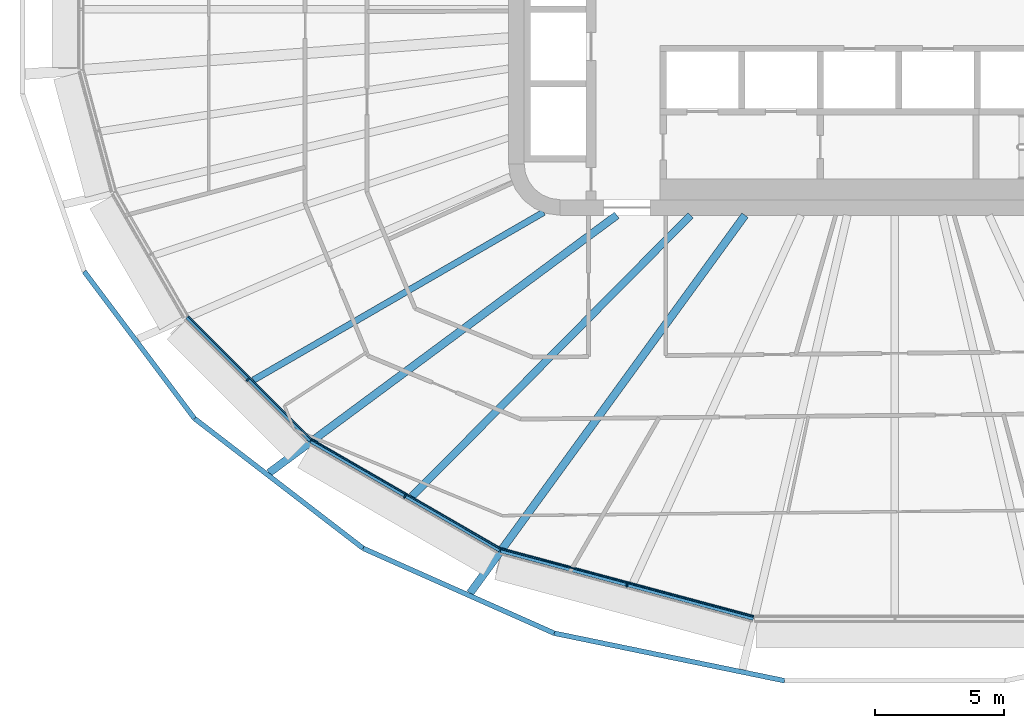
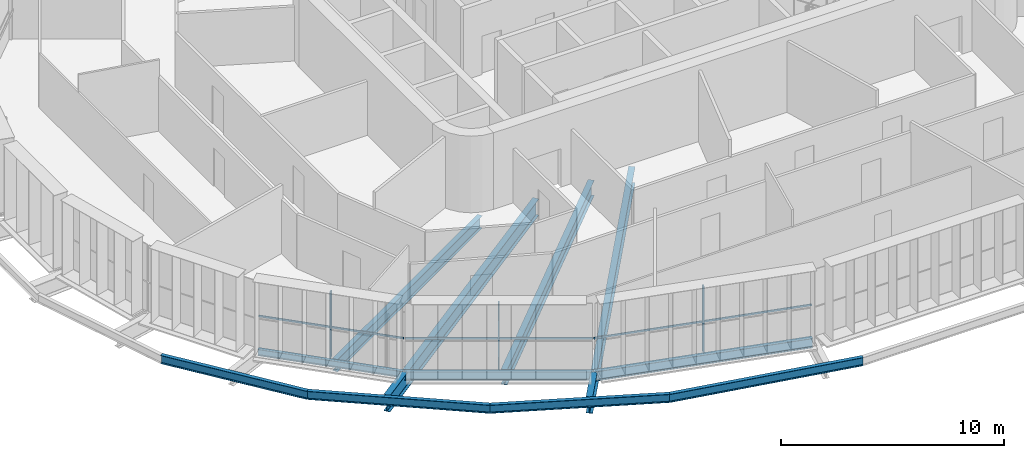
# One storey, part 1 of 26: 11 beams, 6 members, 3 elements without a shape of their own.
"""IFC4 building model written with IfcOpenShell, lengths in metres."""

from ifc_helpers import new_model, si_unit, direction, frame, origin, origin_2d, place, context, subcontext, project, spatial, rectangle, i_section, extrude, material, layer, layer_set, material_profile, profile_set, type_object, element, aggregate, save


model = new_model("IFC4")

# Units and contexts
model_context = context("Model", 3, precision=1e-05, world=origin(), true_north=direction((0.0, 1.0)))
body_context = subcontext(model_context, "Body", "Model", "MODEL_VIEW")
ifc_project = project(units=[si_unit("LENGTHUNIT", "METRE"), si_unit("AREAUNIT", "SQUARE_METRE"), si_unit("VOLUMEUNIT", "CUBIC_METRE"), si_unit("PLANEANGLEUNIT", "RADIAN"), si_unit("MASSUNIT", "GRAM", prefix="KILO")], contexts=[model_context])

# Site, building, storey
site_placement = place(None, origin())
site = spatial("IfcSite", under=ifc_project, at=site_placement, CompositionType="ELEMENT")
building_placement = place(site_placement, origin())
building = spatial("IfcBuilding", under=site, at=building_placement, Name="Sahrelin Media Tower", CompositionType="ELEMENT")
storey_placement = place(building_placement, frame((0.0, 0.0, 88.199951171875)))
storey = spatial("IfcBuildingStorey", under=building, at=storey_placement, Name="L16", CompositionType="ELEMENT", Elevation=88.199951171875)

# Beams
ifc_material_1 = material(Name="Steel S355", Category="steel")
ifc_material_profile_1 = material_profile(ifc_material_1, i_section(OverallWidth=0.17138671875, OverallDepth=0.35498046875, WebThickness=0.00732421875, FlangeThickness=0.011474609375, FilletRadius=0.01025390625, at=origin_2d()), Name="UB 356x171x51")
ifc_profile_set_1 = profile_set([ifc_material_profile_1], Name="Steel S355")
beam_type_1 = type_object("IfcBeamType", Name="Edge beam EB3", PredefinedType="BEAM", material=ifc_profile_set_1)
beam_1_placement = place(storey_placement, frame((-22.689697265625, -16.739013671875, -0.327392578125), z_axis=(-0.707106781187, 0.707106781187, 0.0), x_axis=(-0.707106781187, -0.707106781187, 0.0)))
element("IfcBeam", 1, at=beam_1_placement, inside=storey, type_object=beam_type_1, Name="Edge beam L16-10", PredefinedType="BEAM", context=body_context, shape_type="SweptSolid", body=[
    extrude(i_section(OverallWidth=0.17138671875, OverallDepth=0.35498046875, WebThickness=0.00732421875, FlangeThickness=0.011474609375, FilletRadius=0.01025390625, at=origin_2d()), origin(), (0.0, 0.0, 1.0), 6.7783203125),
])
ifc_material_profile_2 = material_profile(ifc_material_1, i_section(OverallWidth=0.1904296875, OverallDepth=0.45703125, WebThickness=0.009033203125, FlangeThickness=0.014404296875, FilletRadius=0.01025390625, at=origin_2d()), Name="UB 457x191x74")
ifc_profile_set_2 = profile_set([ifc_material_profile_2], Name="Steel S355")
beam_type_2 = type_object("IfcBeamType", Name="Edge beam EB5", PredefinedType="BEAM", material=ifc_profile_set_2)
beam_2_placement = place(storey_placement, frame((-15.3330078125, -20.99072265625, -0.37841796875), z_axis=(-0.866025712585, 0.499999465141, 0.0), x_axis=(-0.499999465141, -0.866025712585, 0.0)))
element("IfcBeam", 2, at=beam_2_placement, inside=storey, type_object=beam_type_2, Name="Edge beam L16-09", PredefinedType="BEAM", context=body_context, shape_type="SweptSolid", body=[
    extrude(i_section(OverallWidth=0.1904296875, OverallDepth=0.45703125, WebThickness=0.009033203125, FlangeThickness=0.014404296875, FilletRadius=0.01025390625, at=origin_2d()), origin(), (0.0, 0.0, 1.0), 8.46826171875),
])
ifc_material_profile_3 = material_profile(ifc_material_1, i_section(OverallWidth=0.208740234375, OverallDepth=0.5283203125, WebThickness=0.009521484375, FlangeThickness=0.01318359375, FilletRadius=0.0126953125, at=origin_2d()), Name="UB 533x210x82")
ifc_profile_set_3 = profile_set([ifc_material_profile_3], Name="Steel S355")
beam_type_3 = type_object("IfcBeamType", Name="Edge beam EB6", PredefinedType="BEAM", material=ifc_profile_set_3)
beam_3_placement = place(storey_placement, frame((-5.48828125, -23.632568359375, -0.4140625), z_axis=(-0.965923284876, 0.258828529599, 0.0), x_axis=(-0.258828529599, -0.965923284876, 0.0)))
element("IfcBeam", 3, at=beam_3_placement, inside=storey, type_object=beam_type_3, Name="Edge beam L16-08", PredefinedType="BEAM", context=body_context, shape_type="SweptSolid", body=[
    extrude(i_section(OverallWidth=0.208740234375, OverallDepth=0.5283203125, WebThickness=0.009521484375, FlangeThickness=0.01318359375, FilletRadius=0.0126953125, at=origin_2d()), origin(), (0.0, 0.0, 1.0), 10.16455078125),
])

# Curtain wall, member
ifc_material_2 = material(Name="Champagne anodised aluminium 6063-T6", Category="aluminium")
ifc_layer = layer(ifc_material_2, 0.14990234375)
ifc_layer_set = layer_set([ifc_layer], Name="Tower ribbon curtain wall")
curtain_wall_type = type_object("IfcCurtainWallType", Name="Tower ribbon curtain wall", PredefinedType="NOTDEFINED", material=ifc_layer_set)
curtain_wall_1_placement = place(storey_placement, frame((-25.192138671875, -14.448486328125, 0.0), z_axis=(0.0, 0.0, 1.0), x_axis=(1.0, 0.0, 0.0)))
curtain_wall_1 = element("IfcCurtainWall", 4, at=curtain_wall_1_placement, inside=storey, type_object=curtain_wall_type, Name="L16:CW:L16-15", PredefinedType="NOTDEFINED")
ifc_material_profile_4 = material_profile(ifc_material_2, rectangle(XDim=0.06005859375, YDim=0.14990234375, at=origin_2d()), Name="Mullion 60x150")
ifc_profile_set_4 = profile_set([ifc_material_profile_4], Name="Champagne anodised aluminium 6063-T6")
member_type_1 = type_object("IfcMemberType", Name="Mullion 60x150 CW1", PredefinedType="MULLION", material=ifc_profile_set_4)
member_1_placement = place(storey_placement, frame((-25.125, -14.381591796875, 0.0), z_axis=(0.0, 0.0, 1.0), x_axis=(0.707114185953, -0.707099376343, 0.0)))
member_1 = element("IfcMember", 5, at=member_1_placement, type_object=member_type_1, Name="L16:CWM:L16-15", PredefinedType="MULLION", context=body_context, shape_type="SweptSolid", body=[
    extrude(rectangle(XDim=0.06005859375, YDim=0.14990234375, at=origin_2d()), origin(), (0.0, 0.0, 1.0), 3.648681640625),
])

curtain_wall_2_placement = place(storey_placement, frame((-19.074951171875, -19.003662109375, 0.0), z_axis=(0.0, 0.0, 1.0), x_axis=(1.0, 0.0, 0.0)))
curtain_wall_2 = element("IfcCurtainWall", 6, at=curtain_wall_2_placement, inside=storey, type_object=curtain_wall_type, Name="L16:CW:L16-16", PredefinedType="NOTDEFINED")
member_2_placement = place(storey_placement, frame((-19.02734375, -18.92138671875, 0.0), z_axis=(0.0, 0.0, 1.0), x_axis=(0.866022785779, -0.500004534492, 0.0)))
member_2 = element("IfcMember", 7, at=member_2_placement, type_object=member_type_1, Name="L16:CWM:L16-16", PredefinedType="MULLION", context=body_context, shape_type="SweptSolid", body=[
    extrude(rectangle(XDim=0.06005859375, YDim=0.14990234375, at=origin_2d()), origin(), (0.0, 0.0, 1.0), 3.648681640625),
])

curtain_wall_3_placement = place(storey_placement, frame((-10.436279296875, -22.4619140625, 0.0), z_axis=(0.0, 0.0, 1.0), x_axis=(1.0, 0.0, 0.0)))
curtain_wall_3 = element("IfcCurtainWall", 8, at=curtain_wall_3_placement, inside=storey, type_object=curtain_wall_type, Name="L16:CW:L16-17", PredefinedType="NOTDEFINED")
member_3_placement = place(storey_placement, frame((-10.41162109375, -22.370361328125, 0.0), z_axis=(0.0, 0.0, 1.0), x_axis=(0.965926278012, -0.258817359244, 0.0)))
member_3 = element("IfcMember", 9, at=member_3_placement, type_object=member_type_1, Name="L16:CWM:L16-17", PredefinedType="MULLION", context=body_context, shape_type="SweptSolid", body=[
    extrude(rectangle(XDim=0.06005859375, YDim=0.14990234375, at=origin_2d()), origin(), (0.0, 0.0, 1.0), 3.648681640625),
])

# Beams
ifc_material_profile_5 = material_profile(ifc_material_1, i_section(OverallWidth=0.30322265625, OverallDepth=0.903076171875, WebThickness=0.01513671875, FlangeThickness=0.020263671875, FilletRadius=0.01904296875, at=origin_2d()), Name="UB 914x305x201")
ifc_profile_set_5 = profile_set([ifc_material_profile_5], Name="Steel S355")
beam_type_4 = type_object("IfcBeamType", Name="Radial primary beam PB11", PredefinedType="BEAM", material=ifc_profile_set_5)
beam_4_placement = place(storey_placement, frame((-10.798828125, -8.0, -0.6015625), z_axis=(-0.803527079038, -0.59526820279, 0.0), x_axis=(0.59526820279, -0.803527079038, 0.0)))
element("IfcBeam", 10, at=beam_4_placement, inside=storey, type_object=beam_type_4, Name="Radial beam L16-16", PredefinedType="BEAM", context=body_context, shape_type="SweptSolid", body=[
    extrude(i_section(OverallWidth=0.30322265625, OverallDepth=0.903076171875, WebThickness=0.01513671875, FlangeThickness=0.020263671875, FilletRadius=0.01904296875, at=origin_2d()), origin(), (0.0, 0.0, 1.0), 16.8037109375),
])
beam_5_placement = place(storey_placement, frame((-5.8203125, -8.0, -0.6015625), z_axis=(-0.588306872488, -0.808637758075, 0.0), x_axis=(0.808637758075, -0.588306872488, 0.0)))
element("IfcBeam", 11, at=beam_5_placement, inside=storey, type_object=beam_type_4, Name="Radial beam L16-17", PredefinedType="BEAM", context=body_context, shape_type="SweptSolid", body=[
    extrude(i_section(OverallWidth=0.30322265625, OverallDepth=0.903076171875, WebThickness=0.01513671875, FlangeThickness=0.020263671875, FilletRadius=0.01904296875, at=origin_2d()), origin(), (0.0, 0.0, 1.0), 18.14794921875),
])
ifc_material_profile_6 = material_profile(ifc_material_1, i_section(OverallWidth=0.291748046875, OverallDepth=0.8349609375, WebThickness=0.013916015625, FlangeThickness=0.018798828125, FilletRadius=0.017822265625, at=origin_2d()), Name="UB 838x292x176")
ifc_profile_set_6 = profile_set([ifc_material_profile_6], Name="Steel S355")
beam_type_5 = type_object("IfcBeamType", Name="Radial secondary beam SB10", PredefinedType="BEAM", material=ifc_profile_set_6)
beam_6_placement = place(storey_placement, frame((-7.93115234375, -8.0, -0.5673828125), z_axis=(-0.704056941584, -0.710143522823, 0.0), x_axis=(0.710143522823, -0.704056941584, 0.0)))
element("IfcBeam", 12, at=beam_6_placement, inside=storey, type_object=beam_type_5, Name="Secondary beam L16-16", PredefinedType="BEAM", context=body_context, shape_type="SweptSolid", body=[
    extrude(i_section(OverallWidth=0.291748046875, OverallDepth=0.8349609375, WebThickness=0.013916015625, FlangeThickness=0.018798828125, FilletRadius=0.017822265625, at=origin_2d()), origin(), (0.0, 0.0, 1.0), 15.362548828125),
])
ifc_material_profile_7 = material_profile(ifc_material_1, i_section(OverallWidth=0.2529296875, OverallDepth=0.677978515625, WebThickness=0.01171875, FlangeThickness=0.01611328125, FilletRadius=0.01513671875, at=origin_2d()), Name="UB 686x254x125")
ifc_profile_set_7 = profile_set([ifc_material_profile_7], Name="Steel S355")
beam_type_6 = type_object("IfcBeamType", Name="Radial secondary beam SB8", PredefinedType="BEAM", material=ifc_profile_set_7)
beam_7_placement = place(storey_placement, frame((-13.63525390625, -7.88330078125, -0.48876953125), z_axis=(-0.865726960109, -0.500516563703, 0.0), x_axis=(0.500516563703, -0.865726960109, 0.0)))
element("IfcBeam", 13, at=beam_7_placement, inside=storey, type_object=beam_type_6, Name="Secondary beam L16-15", PredefinedType="BEAM", context=body_context, shape_type="SweptSolid", body=[
    extrude(i_section(OverallWidth=0.2529296875, OverallDepth=0.677978515625, WebThickness=0.01171875, FlangeThickness=0.01611328125, FilletRadius=0.01513671875, at=origin_2d()), origin(), (0.0, 0.0, 1.0), 13.020263671875),
])
ifc_material_profile_8 = material_profile(ifc_material_1, i_section(OverallWidth=0.1904296875, OverallDepth=0.45703125, WebThickness=0.009033203125, FlangeThickness=0.014404296875, FilletRadius=0.01025390625, at=origin_2d()), Name="UB 457x191x74")
ifc_profile_set_8 = profile_set([ifc_material_profile_8], Name="Steel S355")
beam_type_7 = type_object("IfcBeamType", Name="Tie chord TC5", PredefinedType="BEAM", material=ifc_profile_set_8)
beam_8_placement = place(storey_placement, frame((-31.480712890625, -10.183837890625, -0.37841796875), z_axis=(0.600054738751, -0.799958943011, 0.0), x_axis=(0.799958943011, 0.600054738751, 0.0)))
element("IfcBeam", 14, at=beam_8_placement, inside=storey, type_object=beam_type_7, Name="Tie chord L16-14", PredefinedType="BEAM", context=body_context, shape_type="SweptSolid", body=[
    extrude(i_section(OverallWidth=0.1904296875, OverallDepth=0.45703125, WebThickness=0.009033203125, FlangeThickness=0.014404296875, FilletRadius=0.01025390625, at=origin_2d()), origin(), (0.0, 0.0, 1.0), 7.135986328125),
])
beam_9_placement = place(storey_placement, frame((-27.19873046875, -15.892333984375, -0.37841796875), z_axis=(0.79243512124, -0.609956210416, 0.0), x_axis=(0.609956210416, 0.79243512124, 0.0)))
element("IfcBeam", 15, at=beam_9_placement, inside=storey, type_object=beam_type_7, Name="Tie chord L16-15", PredefinedType="BEAM", context=body_context, shape_type="SweptSolid", body=[
    extrude(i_section(OverallWidth=0.1904296875, OverallDepth=0.45703125, WebThickness=0.009033203125, FlangeThickness=0.014404296875, FilletRadius=0.01025390625, at=origin_2d()), origin(), (0.0, 0.0, 1.0), 8.266845703125),
])
beam_10_placement = place(storey_placement, frame((-20.647705078125, -20.934814453125, -0.37841796875), z_axis=(0.913831394802, -0.406093809205, 0.0), x_axis=(0.406093809205, 0.913831394802, 0.0)))
element("IfcBeam", 16, at=beam_10_placement, inside=storey, type_object=beam_type_7, Name="Tie chord L16-16", PredefinedType="BEAM", context=body_context, shape_type="SweptSolid", body=[
    extrude(i_section(OverallWidth=0.1904296875, OverallDepth=0.45703125, WebThickness=0.009033203125, FlangeThickness=0.014404296875, FilletRadius=0.01025390625, at=origin_2d()), origin(), (0.0, 0.0, 1.0), 8.1162109375),
])
beam_11_placement = place(storey_placement, frame((-13.23095703125, -24.230712890625, -0.37841796875), z_axis=(0.979391646245, -0.201970302932, 0.0), x_axis=(0.201970302932, 0.979391646245, 0.0)))
element("IfcBeam", 17, at=beam_11_placement, inside=storey, type_object=beam_type_7, Name="Tie chord L16-17", PredefinedType="BEAM", context=body_context, shape_type="SweptSolid", body=[
    extrude(i_section(OverallWidth=0.1904296875, OverallDepth=0.45703125, WebThickness=0.009033203125, FlangeThickness=0.014404296875, FilletRadius=0.01025390625, at=origin_2d()), origin(), (0.0, 0.0, 1.0), 9.13720703125),
])

# Member
ifc_material_profile_9 = material_profile(ifc_material_2, rectangle(XDim=0.050048828125, YDim=0.10009765625, at=origin_2d()), Name="Transom 50x100")
ifc_profile_set_9 = profile_set([ifc_material_profile_9], Name="Champagne anodised aluminium 6063-T6")
member_type_2 = type_object("IfcMemberType", Name="Transom 50x100 CW1", PredefinedType="USERDEFINED", material=ifc_profile_set_9)
member_4_placement = place(storey_placement, frame((-27.439697265625, -11.92529296875, 1.60009765625), z_axis=(0.707088688516, -0.707124873394, 0.0), x_axis=(0.707124873394, 0.707088688516, 0.0)))
member_4 = element("IfcMember", 18, at=member_4_placement, type_object=member_type_2, Name="L16:CWT:L16-15", ObjectType="TRANSOM", PredefinedType="USERDEFINED", context=body_context, shape_type="SweptSolid", body=[
    extrude(rectangle(XDim=0.050048828125, YDim=0.10009765625, at=origin_2d()), origin(), (0.0, 0.0, 1.0), 6.7470703125),
])

aggregate(curtain_wall_1, [member_1, member_4])

member_5_placement = place(storey_placement, frame((-22.630615234375, -16.7255859375, 1.60009765625), z_axis=(0.866029933621, -0.499992154011, 0.0), x_axis=(0.499992154011, 0.866029933621, 0.0)))
member_5 = element("IfcMember", 19, at=member_5_placement, type_object=member_type_2, Name="L16:CWT:L16-16", ObjectType="TRANSOM", PredefinedType="USERDEFINED", context=body_context, shape_type="SweptSolid", body=[
    extrude(rectangle(XDim=0.050048828125, YDim=0.10009765625, at=origin_2d()), origin(), (0.0, 0.0, 1.0), 8.436767578125),
])

aggregate(curtain_wall_2, [member_2, member_5])

member_6_placement = place(storey_placement, frame((-15.279541015625, -20.96240234375, 1.60009765625), z_axis=(0.965927940896, -0.258811153154, 0.0), x_axis=(0.258811153154, 0.965927940896, 0.0)))
member_6 = element("IfcMember", 20, at=member_6_placement, type_object=member_type_2, Name="L16:CWT:L16-17", ObjectType="TRANSOM", PredefinedType="USERDEFINED", context=body_context, shape_type="SweptSolid", body=[
    extrude(rectangle(XDim=0.050048828125, YDim=0.10009765625, at=origin_2d()), origin(), (0.0, 0.0, 1.0), 10.133056640625),
])

aggregate(curtain_wall_3, [member_3, member_6])

save(model, "model.ifc")
